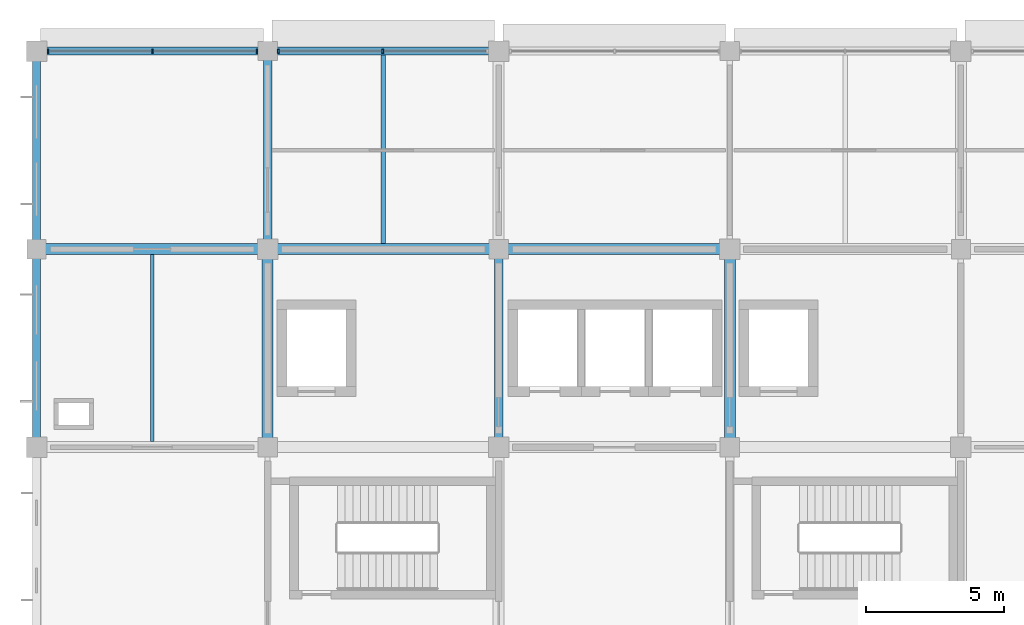
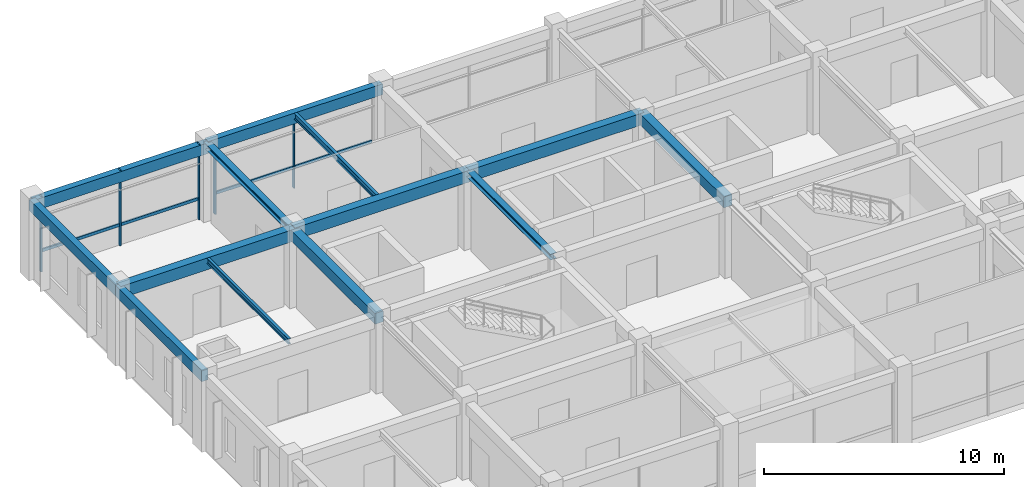
# One storey, part 4 of 13: 13 beams, 9 members, 2 elements without a shape of their own.
"""IFC4 building model written with IfcOpenShell, lengths in metres."""

from ifc_helpers import new_model, si_unit, derived_unit, direction, frame, origin, origin_2d, place, context, subcontext, project, spatial, rectangle, i_section, extrude, material, material_profile, profile_set, type_object, element, aggregate, save


model = new_model("IFC4")

# Units and contexts
model_context = context("Model", 3, precision=1e-05, world=origin(), true_north=direction((0.0, 1.0)))
body_context = subcontext(model_context, "Body", "Model", "MODEL_VIEW")
ifc_project = project(units=[si_unit("LENGTHUNIT", "METRE"), si_unit("AREAUNIT", "SQUARE_METRE"), si_unit("VOLUMEUNIT", "CUBIC_METRE"), si_unit("PLANEANGLEUNIT", "RADIAN"), si_unit("MASSUNIT", "GRAM", prefix="KILO"), derived_unit("THERMALTRANSMITTANCEUNIT", [(si_unit("MASSUNIT", "GRAM", prefix="KILO"), 1), (si_unit("TIMEUNIT", "SECOND"), -3), (si_unit("THERMODYNAMICTEMPERATUREUNIT", "KELVIN"), -1)])], contexts=[model_context])

# Site, building, storey
site_placement = place(None, origin())
site = spatial("IfcSite", under=ifc_project, at=site_placement, CompositionType="ELEMENT")
building_placement = place(site_placement, origin())
building = spatial("IfcBuilding", under=site, at=building_placement, Name="Veldstrom Oceanarium and Marine Research Institute", CompositionType="ELEMENT")
storey_placement = place(building_placement, frame((0.0, 0.0, 39.60009765625)))
storey = spatial("IfcBuildingStorey", under=building, at=storey_placement, Name="L08", CompositionType="ELEMENT", Elevation=39.60009765625)

# Curtain wall, members
ifc_material_1 = material(Name="Anodised Aluminium Framing", Category="aluminium")
curtain_wall_type = type_object("IfcCurtainWallType", Name="ARC-CW-CW04", PredefinedType="USERDEFINED", material=ifc_material_1)
curtain_wall_1_placement = place(storey_placement, origin())
curtain_wall_1 = element("IfcCurtainWall", 1, at=curtain_wall_1_placement, inside=storey, type_object=curtain_wall_type, Name="Curtain Wall CW04 CW-L08-123", ObjectType="Curtain wall", PredefinedType="USERDEFINED")
ifc_material_2 = material(Name="Anodised Aluminium Framing", Category="aluminium")
ifc_material_profile_1 = material_profile(ifc_material_2, rectangle(XDim=0.06494140625, YDim=0.14990234375, at=origin_2d()), Name="ALU-MUL-65x150")
ifc_profile_set_1 = profile_set([ifc_material_profile_1], Name="Anodised Aluminium Framing")
member_type_1 = type_object("IfcMemberType", Name="ARC-MUL-ML2", PredefinedType="MULLION", material=ifc_profile_set_1)
member_1_placement = place(storey_placement, frame((67.614990234375, 72.0, 0.0), z_axis=(0.0, 0.0, 1.0), x_axis=(1.0, 0.0, 0.0)))
member_1 = element("IfcMember", 2, at=member_1_placement, type_object=member_type_1, Name="Curtain Wall Mullion CW-L08-123-MUL-1", PredefinedType="MULLION", context=body_context, shape_type="SweptSolid", body=[
    extrude(rectangle(XDim=0.06494140625, YDim=0.14990234375, at=origin_2d()), origin(), (0.0, 0.0, 1.0), 3.849853515625),
])
member_2_placement = place(storey_placement, frame((71.41259765625, 72.0, 0.0), z_axis=(0.0, 0.0, 1.0), x_axis=(1.0, 0.0, 0.0)))
member_2 = element("IfcMember", 3, at=member_2_placement, type_object=member_type_1, Name="Curtain Wall Mullion CW-L08-123-MUL-2", PredefinedType="MULLION", context=body_context, shape_type="SweptSolid", body=[
    extrude(rectangle(XDim=0.06494140625, YDim=0.14990234375, at=origin_2d()), origin(), (0.0, 0.0, 1.0), 3.849853515625),
])
member_3_placement = place(storey_placement, frame((75.2099609375, 72.0, 0.0), z_axis=(0.0, 0.0, 1.0), x_axis=(1.0, 0.0, 0.0)))
member_3 = element("IfcMember", 4, at=member_3_placement, type_object=member_type_1, Name="Curtain Wall Mullion CW-L08-123-MUL-3", PredefinedType="MULLION", context=body_context, shape_type="SweptSolid", body=[
    extrude(rectangle(XDim=0.06494140625, YDim=0.14990234375, at=origin_2d()), origin(), (0.0, 0.0, 1.0), 3.849853515625),
])

curtain_wall_2_placement = place(storey_placement, origin())
curtain_wall_2 = element("IfcCurtainWall", 5, at=curtain_wall_2_placement, inside=storey, type_object=curtain_wall_type, Name="Curtain Wall CW04 CW-L08-125", ObjectType="Curtain wall", PredefinedType="USERDEFINED")
member_4_placement = place(storey_placement, frame((75.989990234375, 72.0, 0.0), z_axis=(0.0, 0.0, 1.0), x_axis=(1.0, 0.0, 0.0)))
member_4 = element("IfcMember", 6, at=member_4_placement, type_object=member_type_1, Name="Curtain Wall Mullion CW-L08-125-MUL-1", PredefinedType="MULLION", context=body_context, shape_type="SweptSolid", body=[
    extrude(rectangle(XDim=0.06494140625, YDim=0.14990234375, at=origin_2d()), origin(), (0.0, 0.0, 1.0), 3.849853515625),
])
member_5_placement = place(storey_placement, frame((79.78759765625, 72.0, 0.0), z_axis=(0.0, 0.0, 1.0), x_axis=(1.0, 0.0, 0.0)))
member_5 = element("IfcMember", 7, at=member_5_placement, type_object=member_type_1, Name="Curtain Wall Mullion CW-L08-125-MUL-2", PredefinedType="MULLION", context=body_context, shape_type="SweptSolid", body=[
    extrude(rectangle(XDim=0.06494140625, YDim=0.14990234375, at=origin_2d()), origin(), (0.0, 0.0, 1.0), 3.849853515625),
])

# Member
ifc_material_3 = material(Name="Anodised Aluminium Framing", Category="aluminium")
ifc_material_profile_2 = material_profile(ifc_material_3, rectangle(XDim=0.074951171875, YDim=0.14990234375, at=origin_2d()), Name="ALU-TRN-75x150")
ifc_profile_set_2 = profile_set([ifc_material_profile_2], Name="Anodised Aluminium Framing")
member_type_2 = type_object("IfcMemberType", Name="ARC-TRN-TR1", PredefinedType="USERDEFINED", material=ifc_profile_set_2)
member_6_placement = place(storey_placement, frame((67.655029296875, 72.0, 1.0498046875), z_axis=(1.0, 0.0, 0.0), x_axis=(0.0, 1.0, 0.0)))
member_6 = element("IfcMember", 8, at=member_6_placement, type_object=member_type_2, Name="Curtain Wall Transom CW-L08-123-TRN-1", ObjectType="Transom", PredefinedType="USERDEFINED", context=body_context, shape_type="SweptSolid", body=[
    extrude(rectangle(XDim=0.074951171875, YDim=0.14990234375, at=origin_2d()), origin(), (0.0, 0.0, 1.0), 3.717529296875),
])

member_7_placement = place(storey_placement, frame((71.452392578125, 72.0, 1.0498046875), z_axis=(1.0, 0.0, 0.0), x_axis=(0.0, 1.0, 0.0)))
member_7 = element("IfcMember", 9, at=member_7_placement, type_object=member_type_2, Name="Curtain Wall Transom CW-L08-123-TRN-2", ObjectType="Transom", PredefinedType="USERDEFINED", context=body_context, shape_type="SweptSolid", body=[
    extrude(rectangle(XDim=0.074951171875, YDim=0.14990234375, at=origin_2d()), origin(), (0.0, 0.0, 1.0), 3.717529296875),
])

aggregate(curtain_wall_1, [member_1, member_2, member_3, member_6, member_7])

member_8_placement = place(storey_placement, frame((76.030029296875, 72.0, 1.0498046875), z_axis=(1.0, 0.0, 0.0), x_axis=(0.0, 1.0, 0.0)))
member_8 = element("IfcMember", 10, at=member_8_placement, type_object=member_type_2, Name="Curtain Wall Transom CW-L08-125-TRN-1", ObjectType="Transom", PredefinedType="USERDEFINED", context=body_context, shape_type="SweptSolid", body=[
    extrude(rectangle(XDim=0.074951171875, YDim=0.14990234375, at=origin_2d()), origin(), (0.0, 0.0, 1.0), 3.717529296875),
])

member_9_placement = place(storey_placement, frame((79.827392578125, 72.0, 1.0498046875), z_axis=(1.0, 0.0, 0.0), x_axis=(0.0, 1.0, 0.0)))
member_9 = element("IfcMember", 11, at=member_9_placement, type_object=member_type_2, Name="Curtain Wall Transom CW-L08-125-TRN-2", ObjectType="Transom", PredefinedType="USERDEFINED", context=body_context, shape_type="SweptSolid", body=[
    extrude(rectangle(XDim=0.074951171875, YDim=0.14990234375, at=origin_2d()), origin(), (0.0, 0.0, 1.0), 3.717529296875),
])

aggregate(curtain_wall_2, [member_4, member_5, member_8, member_9])

# Beams
ifc_material_4 = material(Name="Concrete C40/50", Category="concrete")
ifc_material_profile_3 = material_profile(ifc_material_4, rectangle(XDim=0.39990234375, YDim=0.60009765625, at=origin_2d()), Name="RC-BM-400x600")
ifc_profile_set_3 = profile_set([ifc_material_profile_3], Name="Concrete C40/50")
beam_type_1 = type_object("IfcBeamType", Name="STR-BM-B06", PredefinedType="BEAM", material=ifc_profile_set_3)
beam_1_placement = place(storey_placement, frame((67.199951171875, 64.800048828125, 3.544921875), z_axis=(1.0, 0.0, 0.0), x_axis=(0.0, 1.0, 0.0)))
element("IfcBeam", 12, at=beam_1_placement, inside=storey, type_object=beam_type_1, Name="Primary Beam B06 L08-2411", PredefinedType="BEAM", context=body_context, shape_type="SweptSolid", body=[
    extrude(rectangle(XDim=0.39990234375, YDim=0.60009765625, at=origin_2d()), origin(), (0.0, 0.0, 1.0), 8.400146484375),
])
for number, where, z_axis, x_axis, name in (
    (13, (75.60009765625, 64.800048828125, 3.594970703125), (1.0, 0.0, 0.0), (0.0, 1.0, 0.0), "Primary Beam B06 L08-2416"),
    (14, (84.0, 64.800048828125, 3.594970703125), (1.0, 0.0, 0.0), (0.0, 1.0, 0.0), "Primary Beam B06 L08-2421"),
):
    element("IfcBeam", number, at=place(storey_placement, frame(where, z_axis=z_axis, x_axis=x_axis)), inside=storey, type_object=beam_type_1, Name=name, PredefinedType="BEAM", context=body_context, shape_type="SweptSolid", body=[
        extrude(rectangle(XDim=0.39990234375, YDim=0.60009765625, at=origin_2d()), origin(), (0.0, 0.0, 1.0), 8.39990234375),
    ])
ifc_material_5 = material(Name="Concrete C40/50", Category="concrete")
ifc_material_profile_4 = material_profile(ifc_material_5, rectangle(XDim=0.39990234375, YDim=0.550048828125, at=origin_2d()), Name="RC-BM-400x550")
ifc_profile_set_4 = profile_set([ifc_material_profile_4], Name="Concrete C40/50")
beam_type_2 = type_object("IfcBeamType", Name="STR-BM-B07", PredefinedType="BEAM", material=ifc_profile_set_4)
for number, where, z_axis, x_axis, name in (
    (15, (75.60009765625, 57.60009765625, 3.56982421875), (0.0, 1.0, 0.0), (-1.0, 0.0, 0.0), "Primary Beam B07 L08-2443"),
    (16, (92.39990234375, 57.60009765625, 3.619873046875), (0.0, 1.0, 0.0), (-1.0, 0.0, 0.0), "Primary Beam B07 L08-2451"),
):
    element("IfcBeam", number, at=place(storey_placement, frame(where, z_axis=z_axis, x_axis=x_axis)), inside=storey, type_object=beam_type_2, Name=name, PredefinedType="BEAM", context=body_context, shape_type="SweptSolid", body=[
        extrude(rectangle(XDim=0.39990234375, YDim=0.550048828125, at=origin_2d()), origin(), (0.0, 0.0, 1.0), 7.199951171875),
    ])
ifc_material_6 = material(Name="Steel S355JR", Category="steel")
ifc_material_profile_5 = material_profile(ifc_material_6, i_section(OverallWidth=0.300048828125, OverallDepth=0.2900390625, WebThickness=0.008544921875, FlangeThickness=0.013916015625, FilletRadius=0.027099609375, at=origin_2d()), Name="HEA 300")
ifc_profile_set_5 = profile_set([ifc_material_profile_5], Name="Steel S355JR")
beam_type_3 = type_object("IfcBeamType", Name="STR-BM-SB10", PredefinedType="BEAM", material=ifc_profile_set_5)
for number, where, z_axis, x_axis, name in (
    (17, (75.60009765625, 64.800048828125, 3.699951171875), (0.0, 1.0, 0.0), (-1.0, 0.0, 0.0), "Steel Tie Beam SB10 L08-2444"),
    (18, (84.0, 57.60009765625, 3.75), (0.0, 1.0, 0.0), (-1.0, 0.0, 0.0), "Steel Tie Beam SB10 L08-2447"),
):
    element("IfcBeam", number, at=place(storey_placement, frame(where, z_axis=z_axis, x_axis=x_axis)), inside=storey, type_object=beam_type_3, Name=name, PredefinedType="BEAM", context=body_context, shape_type="SweptSolid", body=[
        extrude(i_section(OverallWidth=0.300048828125, OverallDepth=0.2900390625, WebThickness=0.008544921875, FlangeThickness=0.013916015625, FilletRadius=0.027099609375, at=origin_2d()), origin(), (0.0, 0.0, 1.0), 7.199951171875),
    ])
ifc_material_7 = material(Name="Steel S355JR", Category="steel")
ifc_material_profile_6 = material_profile(ifc_material_7, i_section(OverallWidth=0.14990234375, OverallDepth=0.300048828125, WebThickness=0.007080078125, FlangeThickness=0.0107421875, FilletRadius=0.014892578125, at=origin_2d()), Name="IPE 300")
ifc_profile_set_6 = profile_set([ifc_material_profile_6], Name="Steel S355JR")
beam_type_4 = type_object("IfcBeamType", Name="STR-JST-SJ2", PredefinedType="JOIST", material=ifc_profile_set_6)
beam_2_placement = place(storey_placement, frame((79.800048828125, 65.0, 3.744873046875), z_axis=(0.0, 1.0, 0.0), x_axis=(-1.0, 0.0, 0.0)))
element("IfcBeam", 19, at=beam_2_placement, inside=storey, type_object=beam_type_4, Name="Secondary Joist SJ2 L08-2466", PredefinedType="JOIST", context=body_context, shape_type="SweptSolid", body=[
    extrude(i_section(OverallWidth=0.14990234375, OverallDepth=0.300048828125, WebThickness=0.007080078125, FlangeThickness=0.0107421875, FilletRadius=0.014892578125, at=origin_2d()), origin(), (0.0, 0.0, 1.0), 6.85009765625),
])
ifc_material_8 = material(Name="Steel S355JR", Category="steel")
ifc_material_profile_7 = material_profile(ifc_material_8, i_section(OverallWidth=0.135009765625, OverallDepth=0.27001953125, WebThickness=0.006591796875, FlangeThickness=0.01025390625, FilletRadius=0.014892578125, at=origin_2d()), Name="IPE 270")
ifc_profile_set_7 = profile_set([ifc_material_profile_7], Name="Steel S355JR")
beam_type_5 = type_object("IfcBeamType", Name="STR-JST-SJ3", PredefinedType="JOIST", material=ifc_profile_set_7)
beam_3_placement = place(storey_placement, frame((71.39990234375, 57.800048828125, 3.7099609375), z_axis=(0.0, 1.0, 0.0), x_axis=(-1.0, 0.0, 0.0)))
element("IfcBeam", 20, at=beam_3_placement, inside=storey, type_object=beam_type_5, Name="Secondary Joist SJ3 L08-2465", PredefinedType="JOIST", context=body_context, shape_type="SweptSolid", body=[
    extrude(i_section(OverallWidth=0.135009765625, OverallDepth=0.27001953125, WebThickness=0.006591796875, FlangeThickness=0.01025390625, FilletRadius=0.014892578125, at=origin_2d()), origin(), (0.0, 0.0, 1.0), 6.800048828125),
])
ifc_material_9 = material(Name="Concrete C40/50", Category="concrete")
ifc_material_profile_8 = material_profile(ifc_material_9, rectangle(XDim=0.300048828125, YDim=0.550048828125, at=origin_2d()), Name="RC-SPN-300x550")
ifc_profile_set_8 = profile_set([ifc_material_profile_8], Name="Concrete C40/50")
beam_type_6 = type_object("IfcBeamType", Name="STR-SPN-SP2", PredefinedType="SPANDREL", material=ifc_profile_set_8)
beam_4_placement = place(storey_placement, frame((67.199951171875, 72.0, 3.56982421875), z_axis=(1.0, 0.0, 0.0), x_axis=(0.0, 1.0, 0.0)))
element("IfcBeam", 21, at=beam_4_placement, inside=storey, type_object=beam_type_6, Name="Perimeter Spandrel SPB2 L08-2412", PredefinedType="SPANDREL", context=body_context, shape_type="SweptSolid", body=[
    extrude(rectangle(XDim=0.300048828125, YDim=0.550048828125, at=origin_2d()), origin(), (0.0, 0.0, 1.0), 8.400146484375),
])
beam_5_placement = place(storey_placement, frame((75.60009765625, 72.0, 3.619873046875), z_axis=(1.0, 0.0, 0.0), x_axis=(0.0, 1.0, 0.0)))
element("IfcBeam", 22, at=beam_5_placement, inside=storey, type_object=beam_type_6, Name="Perimeter Spandrel SPB2 L08-2417", PredefinedType="SPANDREL", context=body_context, shape_type="SweptSolid", body=[
    extrude(rectangle(XDim=0.300048828125, YDim=0.550048828125, at=origin_2d()), origin(), (0.0, 0.0, 1.0), 8.39990234375),
])
for number, where, z_axis, x_axis, name in (
    (23, (67.199951171875, 57.60009765625, 3.56982421875), (0.0, 1.0, 0.0), (-1.0, 0.0, 0.0), "Perimeter Spandrel SPB2 L08-2439"),
    (24, (67.199951171875, 64.800048828125, 3.56982421875), (0.0, 1.0, 0.0), (-1.0, 0.0, 0.0), "Perimeter Spandrel SPB2 L08-2440"),
):
    element("IfcBeam", number, at=place(storey_placement, frame(where, z_axis=z_axis, x_axis=x_axis)), inside=storey, type_object=beam_type_6, Name=name, PredefinedType="SPANDREL", context=body_context, shape_type="SweptSolid", body=[
        extrude(rectangle(XDim=0.300048828125, YDim=0.550048828125, at=origin_2d()), origin(), (0.0, 0.0, 1.0), 7.199951171875),
    ])

save(model, "model.ifc")
